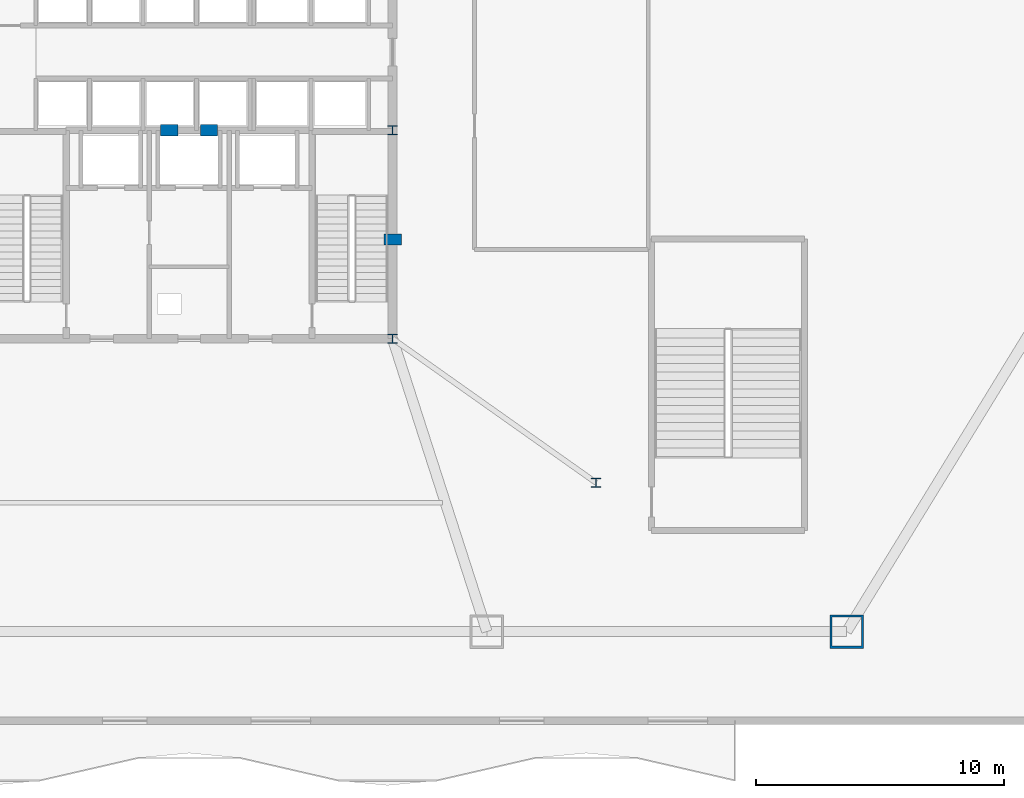
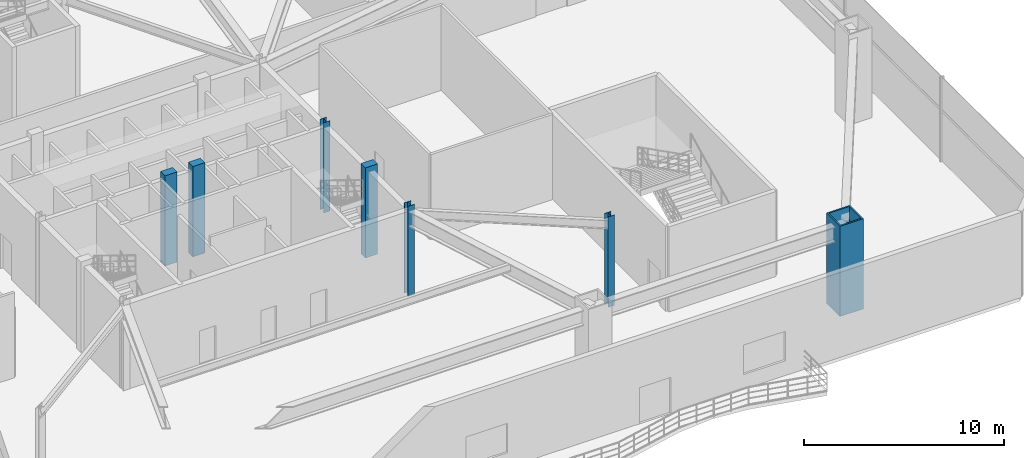
# One storey, part 2 of 20: 7 columns.
"""IFC4 building model written with IfcOpenShell, lengths in metres."""

from ifc_helpers import new_model, si_unit, direction, frame, origin, origin_2d, place, context, subcontext, project, spatial, rectangle, hollow_rectangle, i_section, extrude, material, material_profile, profile_set, type_object, element, save


model = new_model("IFC4")

# Units and contexts
model_context = context("Model", 3, precision=1e-05, world=origin(), true_north=direction((0.0, 1.0)))
body_context = subcontext(model_context, "Body", "Model", "MODEL_VIEW")
ifc_project = project(units=[si_unit("LENGTHUNIT", "METRE"), si_unit("AREAUNIT", "SQUARE_METRE"), si_unit("VOLUMEUNIT", "CUBIC_METRE"), si_unit("PLANEANGLEUNIT", "RADIAN"), si_unit("MASSUNIT", "GRAM", prefix="KILO")], contexts=[model_context])

# Site, building, storey
site_placement = place(None, origin())
site = spatial("IfcSite", under=ifc_project, at=site_placement, CompositionType="ELEMENT")
building_placement = place(site_placement, origin())
building = spatial("IfcBuilding", under=site, at=building_placement, Name="Varakhsha Concourse Tower", CompositionType="ELEMENT")
storey_placement = place(building_placement, frame((0.0, 0.0, 16.5)))
storey = spatial("IfcBuildingStorey", under=building, at=storey_placement, Name="L04", CompositionType="ELEMENT", Elevation=16.5)

# Columns
ifc_material_1 = material(Name="Structural Steel ASTM A992 Grade 50", Category="steel")
ifc_material_profile_1 = material_profile(ifc_material_1, i_section(OverallWidth=0.3740234375, OverallDepth=0.3720703125, WebThickness=0.01611328125, FlangeThickness=0.02587890625, at=origin_2d()), Name="W14X132")
ifc_profile_set_1 = profile_set([ifc_material_profile_1], Name="Structural Steel ASTM A992 Grade 50")
column_type_1 = type_object("IfcColumnType", Name="CL-CORE-W14X132", PredefinedType="COLUMN", material=ifc_profile_set_1)
for number, where, z_axis, x_axis, name in (
    (1, (48.199951171875, 16.39990234375, 0.0), (0.0, 0.0, 1.0), (1.0, 0.0, 0.0), "L04 Core Column CC-SE"),
    (2, (48.199951171875, 24.800048828125, 0.0), (0.0, 0.0, 1.0), (1.0, 0.0, 0.0), "L04 Core Column CC-ME"),
    (3, (56.39990234375, 10.60009765625, 0.0), (0.0, 0.0, 1.0), (1.0, 0.0, 0.0), "L04 Core Column SS-E"),
):
    element("IfcColumn", number, at=place(storey_placement, frame(where, z_axis=z_axis, x_axis=x_axis)), inside=storey, type_object=column_type_1, Name=name, PredefinedType="COLUMN", context=body_context, shape_type="SweptSolid", body=[
        extrude(i_section(OverallWidth=0.3740234375, OverallDepth=0.3720703125, WebThickness=0.01611328125, FlangeThickness=0.02587890625, at=origin_2d()), origin(), (0.0, 0.0, 1.0), 5.5),
    ])
ifc_material_2 = material(Name="Concrete fc 65 MPa", Category="concrete")
ifc_material_profile_2 = material_profile(ifc_material_2, rectangle(XDim=0.699951171875, YDim=0.449951171875, at=origin_2d()), Name="RC 700x450")
ifc_profile_set_2 = profile_set([ifc_material_profile_2], Name="Concrete fc 65 MPa")
column_type_2 = type_object("IfcColumnType", Name="CL-PIL-700X450", PredefinedType="PILASTER", material=ifc_profile_set_2)
for number, where, z_axis, x_axis, name in (
    (4, (48.199951171875, 20.39990234375, 0.0), (0.0, 0.0, 1.0), (1.0, 0.0, 0.0), "L04 Core Boundary Pilaster PIL-E1"),
    (5, (39.199951171875, 24.800048828125, 0.0), (0.0, 0.0, 1.0), (1.0, 0.0, 0.0), "L04 Core Boundary Pilaster PIL-M1"),
    (6, (40.800048828125, 24.800048828125, 0.0), (0.0, 0.0, 1.0), (1.0, 0.0, 0.0), "L04 Core Boundary Pilaster PIL-M2"),
):
    element("IfcColumn", number, at=place(storey_placement, frame(where, z_axis=z_axis, x_axis=x_axis)), inside=storey, type_object=column_type_2, Name=name, PredefinedType="PILASTER", context=body_context, shape_type="SweptSolid", body=[
        extrude(rectangle(XDim=0.699951171875, YDim=0.449951171875, at=origin_2d()), origin(), (0.0, 0.0, 1.0), 5.5),
    ])
ifc_material_3 = material(Name="Structural Steel ASTM A572 Grade 50", Category="steel")
ifc_material_profile_3 = material_profile(ifc_material_3, hollow_rectangle(XDim=1.35009765625, YDim=1.35009765625, WallThickness=0.0849609375, at=origin_2d()), Name="BOX 1350x1350x85")
ifc_profile_set_3 = profile_set([ifc_material_profile_3], Name="Structural Steel ASTM A572 Grade 50")
column_type_3 = type_object("IfcColumnType", Name="CL-STILT-1350", PredefinedType="COLUMN", material=ifc_profile_set_3)
column_placement = place(storey_placement, frame((66.5, 4.60009765625, 0.0), z_axis=(0.0, 0.0, 1.0), x_axis=(1.0, 0.0, 0.0)))
element("IfcColumn", 7, at=column_placement, inside=storey, type_object=column_type_3, Name="L04 Podium Mega-Column PC-S4", PredefinedType="COLUMN", context=body_context, shape_type="SweptSolid", body=[
    extrude(hollow_rectangle(XDim=1.35009765625, YDim=1.35009765625, WallThickness=0.0849609375, at=origin_2d()), origin(), (0.0, 0.0, 1.0), 5.5),
])

save(model, "model.ifc")
